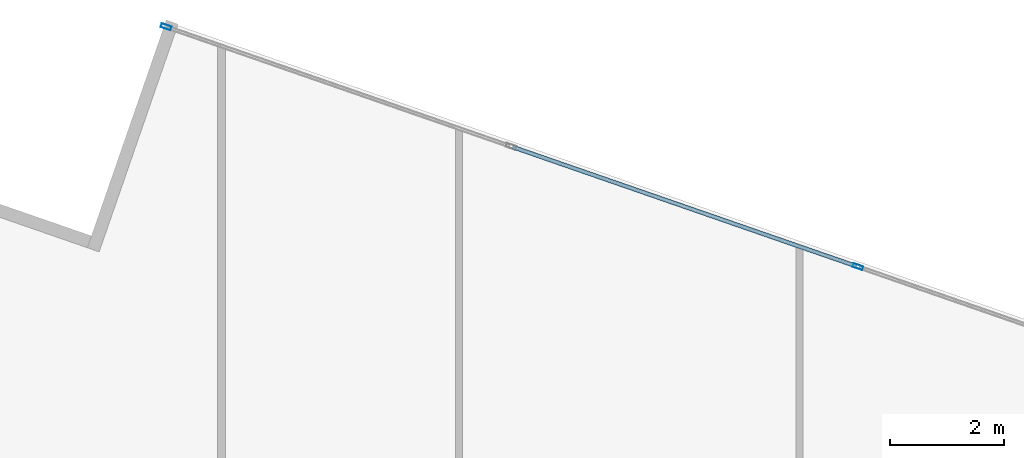
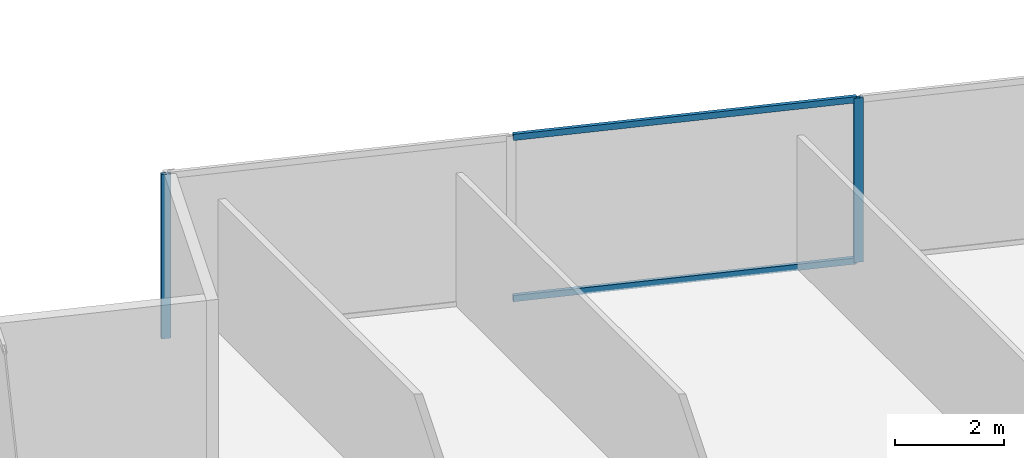
# One storey, part 18 of 27: 4 members, 1 element without a shape of its own.
"""IFC4 building model written with IfcOpenShell, lengths in metres."""

from ifc_helpers import new_model, si_unit, direction, frame, origin, origin_2d, place, context, subcontext, project, spatial, hollow_rectangle, extrude, source, transform, mapped, material, material_profile, profile_set, type_object, type_shapes, element, aggregate, save


model = new_model("IFC4")

# Units and contexts
model_context = context("Model", 3, precision=1e-05, world=origin(), true_north=direction((0.0, 1.0)))
body_context = subcontext(model_context, "Body", "Model", "MODEL_VIEW")
ifc_project = project(units=[si_unit("LENGTHUNIT", "METRE"), si_unit("AREAUNIT", "SQUARE_METRE"), si_unit("VOLUMEUNIT", "CUBIC_METRE"), si_unit("PLANEANGLEUNIT", "RADIAN"), si_unit("MASSUNIT", "GRAM", prefix="KILO")], contexts=[model_context])

# Site, building, storey
site_placement = place(None, origin())
site = spatial("IfcSite", under=ifc_project, at=site_placement, CompositionType="ELEMENT")
building_placement = place(site_placement, origin())
building = spatial("IfcBuilding", under=site, at=building_placement, Name="Krantzveldt Concourse Tower", CompositionType="ELEMENT")
storey_placement = place(building_placement, frame((0.0, 0.0, 125.60009765625)))
storey = spatial("IfcBuildingStorey", under=building, at=storey_placement, Name="L30", CompositionType="ELEMENT", Elevation=125.60009765625)

# Curtain wall, members
ifc_material = material(Name="Anodised aluminium 6063-T6", Category="aluminium")
curtain_wall_type = type_object("IfcCurtainWallType", Name="CW2", PredefinedType="USERDEFINED", material=ifc_material)
curtain_wall_placement = place(storey_placement, origin())
curtain_wall = element("IfcCurtainWall", 1, at=curtain_wall_placement, inside=storey, type_object=curtain_wall_type, Name="CW-L30-F10", ObjectType="UNITISED CURTAIN WALL", PredefinedType="USERDEFINED")
ifc_material_profile_1 = material_profile(ifc_material, hollow_rectangle(XDim=0.070068359375, YDim=0.179931640625, WallThickness=0.0048828125, at=origin_2d()), Name="Anodised aluminium 6063-T6", Category="aluminium")
ifc_profile_set_1 = profile_set([ifc_material_profile_1], Name="Anodised aluminium 6063-T6 - ALU-MULL 180x70x5")
member_type_1 = type_object("IfcMemberType", Name="CW-MUL-180", PredefinedType="MULLION", material=ifc_profile_set_1)
shared_shape_1 = source(origin(), body_context, "Body", "SweptSolid", [
    extrude(hollow_rectangle(XDim=0.070068359375, YDim=0.179931640625, WallThickness=0.0048828125, at=origin_2d()), origin(), (0.0, 0.0, 1.0), 3.669921875),
])
type_shapes(member_type_1, [shared_shape_1])
member_1_placement = place(storey_placement, frame((37.52734375, 50.842041015625, 0.0), z_axis=(0.0, 0.0, 1.0), x_axis=(-0.32763019404, -0.944806041446, 0.0)))
member_1 = element("IfcMember", 2, at=member_1_placement, type_object=member_type_1, Name="CW-Z12 mullion 5", PredefinedType="MULLION", context=body_context, shape_type="MappedRepresentation", body=[
    mapped(shared_shape_1, transform((0.0, 0.0, 0.0), x_axis=(1.0, 0.0, 0.0), y_axis=(0.0, 1.0, 0.0), z_axis=(0.0, 0.0, 1.0), scale=1.0)),
])
member_2_placement = place(storey_placement, frame((25.3408203125, 55.06787109375, 0.0), z_axis=(0.0, 0.0, 1.0), x_axis=(-0.32763019404, -0.944806041446, 0.0)))
member_2 = element("IfcMember", 3, at=member_2_placement, type_object=member_type_1, Name="CW-Z12 mullion 7", PredefinedType="MULLION", context=body_context, shape_type="MappedRepresentation", body=[
    mapped(shared_shape_1, transform((0.0, 0.0, 0.0), x_axis=(1.0, 0.0, 0.0), y_axis=(0.0, 1.0, 0.0), z_axis=(0.0, 0.0, 1.0), scale=1.0)),
])
ifc_material_profile_2 = material_profile(ifc_material, hollow_rectangle(XDim=0.070068359375, YDim=0.139892578125, WallThickness=0.0048828125, at=origin_2d()), Name="Anodised aluminium 6063-T6", Category="aluminium")
ifc_profile_set_2 = profile_set([ifc_material_profile_2], Name="Anodised aluminium 6063-T6 - ALU-TRAN 140x70x5")
member_type_2 = type_object("IfcMemberType", Name="CW-TRN-150", PredefinedType="USERDEFINED", material=ifc_profile_set_2)
shared_shape_2 = source(origin(), body_context, "Body", "SweptSolid", [
    extrude(hollow_rectangle(XDim=0.070068359375, YDim=0.139892578125, WallThickness=0.0048828125, at=origin_2d()), origin(), (0.0, 0.0, 1.0), 6.396484375),
])
type_shapes(member_type_2, [shared_shape_2])
member_3_placement = place(storey_placement, frame((37.494140625, 50.853515625, 0.034912109375), z_axis=(-0.944805325706, 0.327632258054, 0.0), x_axis=(-0.327632258054, -0.944805325706, 0.0)))
member_3 = element("IfcMember", 4, at=member_3_placement, type_object=member_type_2, Name="CW-Z12 transom 5.1", ObjectType="TRANSOM", PredefinedType="USERDEFINED", context=body_context, shape_type="MappedRepresentation", body=[
    mapped(shared_shape_2, transform((0.0, 0.0, 0.0), x_axis=(1.0, 0.0, 0.0), y_axis=(0.0, 1.0, 0.0), z_axis=(0.0, 0.0, 1.0), scale=1.0)),
])
member_4_placement = place(storey_placement, frame((37.494140625, 50.853515625, 3.635009765625), z_axis=(-0.944805325706, 0.327632258054, 0.0), x_axis=(-0.327632258054, -0.944805325706, 0.0)))
member_4 = element("IfcMember", 5, at=member_4_placement, type_object=member_type_2, Name="CW-Z12 transom 5.2", ObjectType="TRANSOM", PredefinedType="USERDEFINED", context=body_context, shape_type="MappedRepresentation", body=[
    mapped(shared_shape_2, transform((0.0, 0.0, 0.0), x_axis=(1.0, 0.0, 0.0), y_axis=(0.0, 1.0, 0.0), z_axis=(0.0, 0.0, 1.0), scale=1.0)),
])
aggregate(curtain_wall, [member_1, member_2, member_3, member_4])

save(model, "model.ifc")
